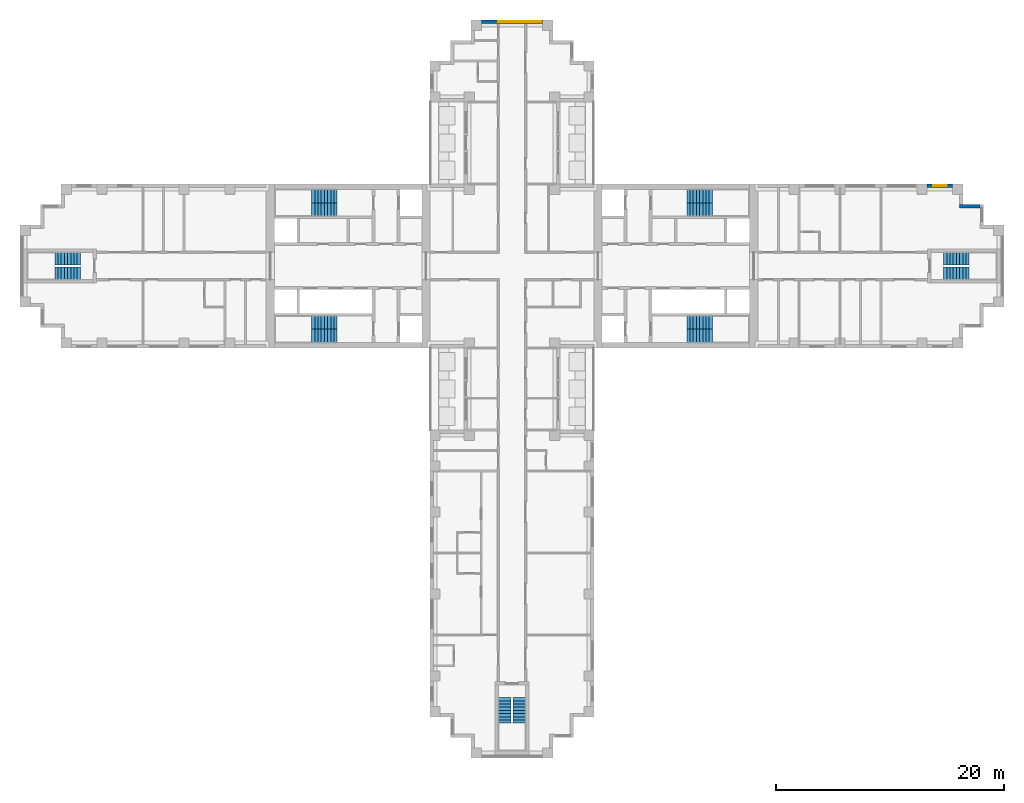
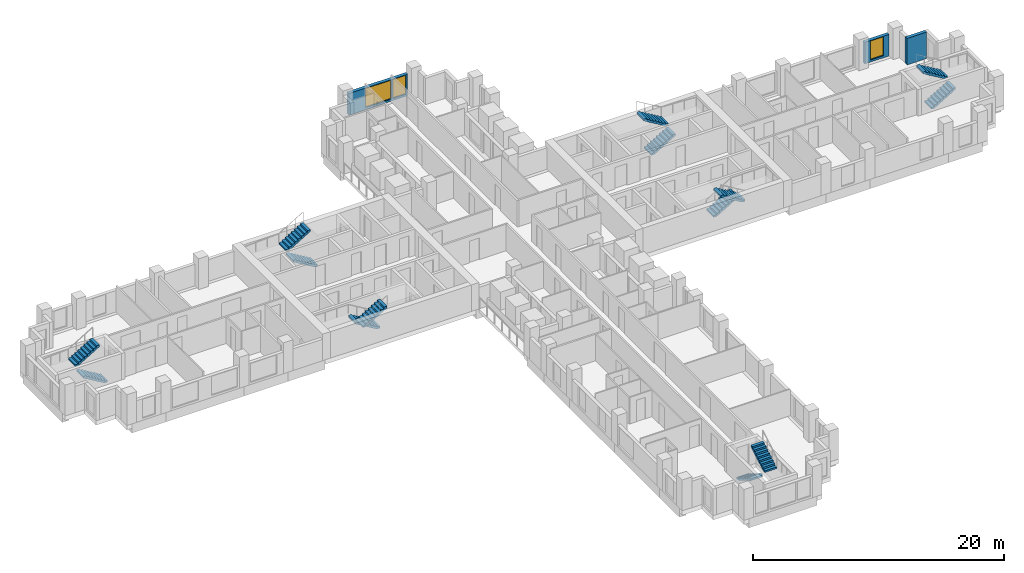
# One storey, part 11 of 13: 14 stair flights, 3 walls, 3 windows, 3 openings, 7 elements without a shape of their own.
"""IFC4 building model written with IfcOpenShell, lengths in metres."""

from ifc_helpers import new_model, si_unit, direction, frame, frame_2d, origin, place, context, subcontext, project, spatial, polyline, rectangle, outline, extrude, material, layer, layer_set, type_object, element, fill, aggregate, save


model = new_model("IFC4")

# Units and contexts
model_context = context("Model", 3, precision=1e-05, world=origin(), true_north=direction((0.0, 1.0)))
body_context = subcontext(model_context, "Body", "Model", "MODEL_VIEW")
ifc_project = project(units=[si_unit("LENGTHUNIT", "METRE"), si_unit("AREAUNIT", "SQUARE_METRE"), si_unit("VOLUMEUNIT", "CUBIC_METRE"), si_unit("PLANEANGLEUNIT", "RADIAN"), si_unit("MASSUNIT", "GRAM", prefix="KILO")], contexts=[model_context])

# Site, building, storey
site_placement = place(None, origin())
site = spatial("IfcSite", under=ifc_project, at=site_placement, CompositionType="ELEMENT")
building_placement = place(site_placement, origin())
building = spatial("IfcBuilding", under=site, at=building_placement, Name="Fustian Cross Tower", CompositionType="ELEMENT")
storey_placement = place(building_placement, frame((0.0, 0.0, 81.89990234375)))
storey = spatial("IfcBuildingStorey", under=building, at=storey_placement, Name="L25", CompositionType="ELEMENT", Elevation=81.89990234375)

# Wall
ifc_material_1 = material(Name="Dark aluminium cladding on insulated backing wall", Category="aluminium")
ifc_layer = layer(ifc_material_1, 0.300048828125)
ifc_layer_set = layer_set([ifc_layer], Name="Dark aluminium cladding on insulated backing wall")
wall_type = type_object("IfcWallType", Name="XW1 EXTERNAL WALL 300", PredefinedType="SOLIDWALL", material=ifc_layer_set)
wall_1_placement = place(storey_placement, frame((41.10009765625, 5.25, 0.0), z_axis=(0.0, 0.0, 1.0), x_axis=(-1.0, 0.0, 0.0)))
element("IfcWall", 1, at=wall_1_placement, inside=storey, type_object=wall_type, Name="External wall", PredefinedType="SOLIDWALL", context=body_context, shape_type="SweptSolid", body=[
    extrude(rectangle(XDim=1.800048828125, YDim=0.300048828125, at=frame_2d((0.89990234375, 0.0))), origin(), (0.0, 0.0, 1.0), 2.5751953125),
])

# Wall, opening, window
wall_2_placement = place(storey_placement, frame((38.699951171875, 7.050048828125, 0.0), z_axis=(0.0, 0.0, 1.0), x_axis=(-1.0, 0.0, 0.0)))
wall_2 = element("IfcWall", 2, at=wall_2_placement, inside=storey, type_object=wall_type, Name="External wall", PredefinedType="SOLIDWALL", context=body_context, shape_type="SweptSolid", body=[
    extrude(rectangle(XDim=2.25, YDim=0.300048828125, at=frame_2d((1.125, 0.0))), origin(), (0.0, 0.0, 1.0), 2.10009765625),
])
opening_1_placement = place(wall_2_placement, frame((0.52490234375, 0.0, 0.199951171875)))
opening_1 = element("IfcOpeningElement", 3, at=opening_1_placement, cuts=wall_2, Name="Opening WN3", PredefinedType="OPENING", context=body_context, shape_type="SweptSolid", body=[
    extrude(rectangle(XDim=1.199951171875, YDim=1.85009765625, at=frame_2d((0.60009765625, 0.925048828125))), frame((0.0, 0.159912109375, 0.0), z_axis=(0.0, -1.0, 0.0), x_axis=(1.0, 0.0, 0.0)), (0.0, 0.0, 1.0), 0.320068359375),
])
ifc_material_2 = material(Name="Dark anodised aluminium and double glazing", Category="aluminium")
window_type_1 = type_object("IfcWindowType", Name="WN3 WINDOW 1200X1850", PartitioningType="SINGLE_PANEL", PredefinedType="WINDOW", material=ifc_material_2)
window_1_placement = place(opening_1_placement, origin())
window_1 = element("IfcWindow", 4, at=window_1_placement, inside=storey, type_object=window_type_1, Name="Window", OverallHeight=1.85009765625, OverallWidth=1.199951171875, PartitioningType="SINGLE_PANEL", PredefinedType="WINDOW", context=body_context, shape_type="SweptSolid", body=[
    extrude(rectangle(XDim=1.199951171875, YDim=1.85009765625, at=frame_2d((0.60009765625, 0.925048828125))), frame((0.0, 0.030029296875, 0.0), z_axis=(0.0, -1.0, 0.0), x_axis=(1.0, 0.0, 0.0)), (0.0, 0.0, 1.0), 0.06005859375),
])
fill(opening_1, window_1)

# Wall, openings, windows
wall_3_placement = place(storey_placement, frame((2.699951171875, 21.449951171875, 0.0), z_axis=(0.0, 0.0, 1.0), x_axis=(-1.0, 0.0, 0.0)))
wall_3 = element("IfcWall", 5, at=wall_3_placement, inside=storey, type_object=wall_type, Name="External wall", PredefinedType="SOLIDWALL", context=body_context, shape_type="SweptSolid", body=[
    extrude(rectangle(XDim=5.39990234375, YDim=0.300048828125, at=frame_2d((2.699951171875, 0.0))), origin(), (0.0, 0.0, 1.0), 2.10009765625),
])
opening_2_placement = place(wall_3_placement, frame((1.5, 0.0, 0.199951171875)))
opening_2 = element("IfcOpeningElement", 6, at=opening_2_placement, cuts=wall_3, Name="Opening WN1", PredefinedType="OPENING", context=body_context, shape_type="SweptSolid", body=[
    extrude(rectangle(XDim=2.39990234375, YDim=1.85009765625, at=frame_2d((1.199951171875, 0.925048828125))), frame((0.0, 0.159912109375, 0.0), z_axis=(0.0, -1.0, 0.0), x_axis=(1.0, 0.0, 0.0)), (0.0, 0.0, 1.0), 0.320068359375),
])
opening_3_placement = place(wall_3_placement, frame((0.14990234375, 0.0, 0.199951171875)))
opening_3 = element("IfcOpeningElement", 7, at=opening_3_placement, cuts=wall_3, Name="Opening WN3", PredefinedType="OPENING", context=body_context, shape_type="SweptSolid", body=[
    extrude(rectangle(XDim=1.199951171875, YDim=1.85009765625, at=frame_2d((0.60009765625, 0.925048828125))), frame((0.0, 0.159912109375, 0.0), z_axis=(0.0, -1.0, 0.0), x_axis=(1.0, 0.0, 0.0)), (0.0, 0.0, 1.0), 0.320068359375),
])
ifc_material_3 = material(Name="Dark anodised aluminium and double glazing", Category="aluminium")
window_type_2 = type_object("IfcWindowType", Name="WN1 WINDOW 2400X1850", PartitioningType="SINGLE_PANEL", PredefinedType="WINDOW", material=ifc_material_3)
window_2_placement = place(opening_2_placement, origin())
window_2 = element("IfcWindow", 8, at=window_2_placement, inside=storey, type_object=window_type_2, Name="Window", OverallHeight=1.85009765625, OverallWidth=2.39990234375, PartitioningType="SINGLE_PANEL", PredefinedType="WINDOW", context=body_context, shape_type="SweptSolid", body=[
    extrude(rectangle(XDim=2.39990234375, YDim=1.85009765625, at=frame_2d((1.199951171875, 0.925048828125))), frame((0.0, 0.030029296875, 0.0), z_axis=(0.0, -1.0, 0.0), x_axis=(1.0, 0.0, 0.0)), (0.0, 0.0, 1.0), 0.06005859375),
])
fill(opening_2, window_2)
window_3_placement = place(opening_3_placement, origin())
window_3 = element("IfcWindow", 9, at=window_3_placement, inside=storey, type_object=window_type_1, Name="Window", OverallHeight=1.85009765625, OverallWidth=1.199951171875, PartitioningType="SINGLE_PANEL", PredefinedType="WINDOW", context=body_context, shape_type="SweptSolid", body=[
    extrude(rectangle(XDim=1.199951171875, YDim=1.85009765625, at=frame_2d((0.60009765625, 0.925048828125))), frame((0.0, 0.030029296875, 0.0), z_axis=(0.0, -1.0, 0.0), x_axis=(1.0, 0.0, 0.0)), (0.0, 0.0, 1.0), 0.06005859375),
])
fill(opening_3, window_3)

# Stair, stair flights
ifc_material_4 = material(Name="Concrete C50/60", Category="concrete")
stair_type_1 = type_object("IfcStairType", Name="STAIR 1100 HALF TURN", PredefinedType="HALF_TURN_STAIR", material=ifc_material_4)
stair_1_placement = place(storey_placement, origin())
stair_1 = element("IfcStair", 10, at=stair_1_placement, inside=storey, type_object=stair_type_1, Name="Stair ST6", PredefinedType="HALF_TURN_STAIR")
ifc_material_5 = material(Name="Concrete C50/60", Category="concrete")
stair_flight_type_1 = type_object("IfcStairFlightType", Name="STAIR FLIGHT 1100", PredefinedType="STRAIGHT", material=ifc_material_5)
stair_flight_1_placement = place(storey_placement, frame((-0.64990234375, -37.89990234375, 0.0), z_axis=(0.0, 0.0, 1.0), x_axis=(0.0, -1.0, 0.0)))
stair_flight_1 = element("IfcStairFlight", 11, at=stair_flight_1_placement, type_object=stair_flight_type_1, Name="ST6 flight 1", NumberOfRisers=9, NumberOfTreads=8, PredefinedType="STRAIGHT", RiserHeight=0.166666667, TreadLength=0.28, context=body_context, shape_type="SweptSolid", body=[
    extrude(outline(polyline([(0.0, 0.0), (0.0, 0.166748046875), (0.280029296875, 0.166748046875), (0.280029296875, 0.333251953125), (0.56005859375, 0.333251953125), (0.56005859375, 0.5), (0.840087890625, 0.5), (0.840087890625, 0.666748046875), (1.1201171875, 0.666748046875), (1.1201171875, 0.833251953125), (1.39990234375, 0.833251953125), (1.39990234375, 1.0), (1.679931640625, 1.0), (1.679931640625, 1.166748046875), (1.9599609375, 1.166748046875), (1.9599609375, 1.333251953125), (2.239990234375, 1.333251953125), (2.239990234375, 1.5), (2.239990234375, 1.158935546875), (0.29296875, 0.0), (0.0, 0.0)])), frame((0.0, 0.550048828125, 0.0), z_axis=(0.0, -1.0, 0.0), x_axis=(1.0, 0.0, 0.0)), (0.0, 0.0, 1.0), 1.10009765625),
])
stair_flight_2_placement = place(storey_placement, frame((0.64990234375, -40.139892578125, 1.5), z_axis=(0.0, 0.0, 1.0), x_axis=(0.0, 1.0, 0.0)))
stair_flight_2 = element("IfcStairFlight", 12, at=stair_flight_2_placement, type_object=stair_flight_type_1, Name="ST6 flight 2", NumberOfRisers=9, NumberOfTreads=8, PredefinedType="STRAIGHT", RiserHeight=0.166666667, TreadLength=0.28, context=body_context, shape_type="SweptSolid", body=[
    extrude(outline(polyline([(0.0, 0.0), (0.0, 0.166748046875), (0.280029296875, 0.166748046875), (0.280029296875, 0.333251953125), (0.56005859375, 0.333251953125), (0.56005859375, 0.5), (0.840087890625, 0.5), (0.840087890625, 0.666748046875), (1.1201171875, 0.666748046875), (1.1201171875, 0.833251953125), (1.39990234375, 0.833251953125), (1.39990234375, 1.0), (1.679931640625, 1.0), (1.679931640625, 1.166748046875), (1.9599609375, 1.166748046875), (1.9599609375, 1.333251953125), (2.239990234375, 1.333251953125), (2.239990234375, 1.5), (2.239990234375, 1.158935546875), (0.29296875, 0.0), (0.0, 0.0)])), frame((0.0, 0.550048828125, 0.0), z_axis=(0.0, -1.0, 0.0), x_axis=(1.0, 0.0, 0.0)), (0.0, 0.0, 1.0), 1.10009765625),
])
aggregate(stair_1, [stair_flight_1, stair_flight_2])

stair_2_placement = place(storey_placement, origin())
stair_2 = element("IfcStair", 13, at=stair_2_placement, inside=storey, type_object=stair_type_1, Name="Stair ST8", PredefinedType="HALF_TURN_STAIR")
stair_flight_3_placement = place(storey_placement, frame((37.89990234375, -0.64990234375, 0.0), z_axis=(0.0, 0.0, 1.0), x_axis=(1.0, 0.0, 0.0)))
stair_flight_3 = element("IfcStairFlight", 14, at=stair_flight_3_placement, type_object=stair_flight_type_1, Name="ST8 flight 1", NumberOfRisers=9, NumberOfTreads=8, PredefinedType="STRAIGHT", RiserHeight=0.166666667, TreadLength=0.28, context=body_context, shape_type="SweptSolid", body=[
    extrude(outline(polyline([(0.0, 0.0), (0.0, 0.166748046875), (0.280029296875, 0.166748046875), (0.280029296875, 0.333251953125), (0.56005859375, 0.333251953125), (0.56005859375, 0.5), (0.840087890625, 0.5), (0.840087890625, 0.666748046875), (1.1201171875, 0.666748046875), (1.1201171875, 0.833251953125), (1.39990234375, 0.833251953125), (1.39990234375, 1.0), (1.679931640625, 1.0), (1.679931640625, 1.166748046875), (1.9599609375, 1.166748046875), (1.9599609375, 1.333251953125), (2.239990234375, 1.333251953125), (2.239990234375, 1.5), (2.239990234375, 1.158935546875), (0.29296875, 0.0), (0.0, 0.0)])), frame((0.0, 0.550048828125, 0.0), z_axis=(0.0, -1.0, 0.0), x_axis=(1.0, 0.0, 0.0)), (0.0, 0.0, 1.0), 1.10009765625),
])
stair_flight_4_placement = place(storey_placement, frame((40.139892578125, 0.64990234375, 1.5), z_axis=(0.0, 0.0, 1.0), x_axis=(-1.0, 0.0, 0.0)))
stair_flight_4 = element("IfcStairFlight", 15, at=stair_flight_4_placement, type_object=stair_flight_type_1, Name="ST8 flight 2", NumberOfRisers=9, NumberOfTreads=8, PredefinedType="STRAIGHT", RiserHeight=0.166666667, TreadLength=0.28, context=body_context, shape_type="SweptSolid", body=[
    extrude(outline(polyline([(0.0, 0.0), (0.0, 0.166748046875), (0.280029296875, 0.166748046875), (0.280029296875, 0.333251953125), (0.56005859375, 0.333251953125), (0.56005859375, 0.5), (0.840087890625, 0.5), (0.840087890625, 0.666748046875), (1.1201171875, 0.666748046875), (1.1201171875, 0.833251953125), (1.39990234375, 0.833251953125), (1.39990234375, 1.0), (1.679931640625, 1.0), (1.679931640625, 1.166748046875), (1.9599609375, 1.166748046875), (1.9599609375, 1.333251953125), (2.239990234375, 1.333251953125), (2.239990234375, 1.5), (2.239990234375, 1.158935546875), (0.29296875, 0.0), (0.0, 0.0)])), frame((0.0, 0.550048828125, 0.0), z_axis=(0.0, -1.0, 0.0), x_axis=(1.0, 0.0, 0.0)), (0.0, 0.0, 1.0), 1.10009765625),
])
aggregate(stair_2, [stair_flight_3, stair_flight_4])

stair_3_placement = place(storey_placement, origin())
stair_3 = element("IfcStair", 16, at=stair_3_placement, inside=storey, type_object=stair_type_1, Name="Stair ST9", PredefinedType="HALF_TURN_STAIR")
stair_flight_5_placement = place(storey_placement, frame((-37.89990234375, -0.64990234375, 0.0), z_axis=(0.0, 0.0, 1.0), x_axis=(-1.0, 0.0, 0.0)))
stair_flight_5 = element("IfcStairFlight", 17, at=stair_flight_5_placement, type_object=stair_flight_type_1, Name="ST9 flight 1", NumberOfRisers=9, NumberOfTreads=8, PredefinedType="STRAIGHT", RiserHeight=0.166666667, TreadLength=0.28, context=body_context, shape_type="SweptSolid", body=[
    extrude(outline(polyline([(0.0, 0.0), (0.0, 0.166748046875), (0.280029296875, 0.166748046875), (0.280029296875, 0.333251953125), (0.56005859375, 0.333251953125), (0.56005859375, 0.5), (0.840087890625, 0.5), (0.840087890625, 0.666748046875), (1.1201171875, 0.666748046875), (1.1201171875, 0.833251953125), (1.39990234375, 0.833251953125), (1.39990234375, 1.0), (1.679931640625, 1.0), (1.679931640625, 1.166748046875), (1.9599609375, 1.166748046875), (1.9599609375, 1.333251953125), (2.239990234375, 1.333251953125), (2.239990234375, 1.5), (2.239990234375, 1.158935546875), (0.29296875, 0.0), (0.0, 0.0)])), frame((0.0, 0.550048828125, 0.0), z_axis=(0.0, -1.0, 0.0), x_axis=(1.0, 0.0, 0.0)), (0.0, 0.0, 1.0), 1.10009765625),
])
stair_flight_6_placement = place(storey_placement, frame((-40.139892578125, 0.64990234375, 1.5), z_axis=(0.0, 0.0, 1.0), x_axis=(1.0, 0.0, 0.0)))
stair_flight_6 = element("IfcStairFlight", 18, at=stair_flight_6_placement, type_object=stair_flight_type_1, Name="ST9 flight 2", NumberOfRisers=9, NumberOfTreads=8, PredefinedType="STRAIGHT", RiserHeight=0.166666667, TreadLength=0.28, context=body_context, shape_type="SweptSolid", body=[
    extrude(outline(polyline([(0.0, 0.0), (0.0, 0.166748046875), (0.280029296875, 0.166748046875), (0.280029296875, 0.333251953125), (0.56005859375, 0.333251953125), (0.56005859375, 0.5), (0.840087890625, 0.5), (0.840087890625, 0.666748046875), (1.1201171875, 0.666748046875), (1.1201171875, 0.833251953125), (1.39990234375, 0.833251953125), (1.39990234375, 1.0), (1.679931640625, 1.0), (1.679931640625, 1.166748046875), (1.9599609375, 1.166748046875), (1.9599609375, 1.333251953125), (2.239990234375, 1.333251953125), (2.239990234375, 1.5), (2.239990234375, 1.158935546875), (0.29296875, 0.0), (0.0, 0.0)])), frame((0.0, 0.550048828125, 0.0), z_axis=(0.0, -1.0, 0.0), x_axis=(1.0, 0.0, 0.0)), (0.0, 0.0, 1.0), 1.10009765625),
])
aggregate(stair_3, [stair_flight_5, stair_flight_6])

ifc_material_6 = material(Name="Concrete C50/60", Category="concrete")
stair_type_2 = type_object("IfcStairType", Name="STAIR 1150 HALF TURN", PredefinedType="HALF_TURN_STAIR", material=ifc_material_6)
stair_4_placement = place(storey_placement, origin())
stair_4 = element("IfcStair", 19, at=stair_4_placement, inside=storey, type_object=stair_type_2, Name="Stair ST1", PredefinedType="HALF_TURN_STAIR")
ifc_material_7 = material(Name="Concrete C50/60", Category="concrete")
stair_flight_type_2 = type_object("IfcStairFlightType", Name="STAIR FLIGHT 1150", PredefinedType="STRAIGHT", material=ifc_material_7)
stair_flight_7_placement = place(storey_placement, frame((15.35009765625, 4.97509765625, 0.0), z_axis=(0.0, 0.0, 1.0), x_axis=(1.0, 0.0, 0.0)))
stair_flight_7 = element("IfcStairFlight", 20, at=stair_flight_7_placement, type_object=stair_flight_type_2, Name="ST1 flight 1", NumberOfRisers=9, NumberOfTreads=8, PredefinedType="STRAIGHT", RiserHeight=0.166666667, TreadLength=0.28, context=body_context, shape_type="SweptSolid", body=[
    extrude(outline(polyline([(0.0, 0.0), (0.0, 0.166748046875), (0.280029296875, 0.166748046875), (0.280029296875, 0.333251953125), (0.56005859375, 0.333251953125), (0.56005859375, 0.5), (0.840087890625, 0.5), (0.840087890625, 0.666748046875), (1.1201171875, 0.666748046875), (1.1201171875, 0.833251953125), (1.39990234375, 0.833251953125), (1.39990234375, 1.0), (1.679931640625, 1.0), (1.679931640625, 1.166748046875), (1.9599609375, 1.166748046875), (1.9599609375, 1.333251953125), (2.239990234375, 1.333251953125), (2.239990234375, 1.5), (2.239990234375, 1.158935546875), (0.29296875, 0.0), (0.0, 0.0)])), frame((0.0, 0.574951171875, 0.0), z_axis=(0.0, -1.0, 0.0), x_axis=(1.0, 0.0, 0.0)), (0.0, 0.0, 1.0), 1.14990234375),
])
stair_flight_8_placement = place(storey_placement, frame((17.590087890625, 6.125, 1.5), z_axis=(0.0, 0.0, 1.0), x_axis=(-1.0, 0.0, 0.0)))
stair_flight_8 = element("IfcStairFlight", 21, at=stair_flight_8_placement, type_object=stair_flight_type_2, Name="ST1 flight 2", NumberOfRisers=9, NumberOfTreads=8, PredefinedType="STRAIGHT", RiserHeight=0.166666667, TreadLength=0.28, context=body_context, shape_type="SweptSolid", body=[
    extrude(outline(polyline([(0.0, 0.0), (0.0, 0.166748046875), (0.280029296875, 0.166748046875), (0.280029296875, 0.333251953125), (0.56005859375, 0.333251953125), (0.56005859375, 0.5), (0.840087890625, 0.5), (0.840087890625, 0.666748046875), (1.1201171875, 0.666748046875), (1.1201171875, 0.833251953125), (1.39990234375, 0.833251953125), (1.39990234375, 1.0), (1.679931640625, 1.0), (1.679931640625, 1.166748046875), (1.9599609375, 1.166748046875), (1.9599609375, 1.333251953125), (2.239990234375, 1.333251953125), (2.239990234375, 1.5), (2.239990234375, 1.158935546875), (0.29296875, 0.0), (0.0, 0.0)])), frame((0.0, 0.574951171875, 0.0), z_axis=(0.0, -1.0, 0.0), x_axis=(1.0, 0.0, 0.0)), (0.0, 0.0, 1.0), 1.14990234375),
])
aggregate(stair_4, [stair_flight_7, stair_flight_8])

stair_5_placement = place(storey_placement, origin())
stair_5 = element("IfcStair", 22, at=stair_5_placement, inside=storey, type_object=stair_type_2, Name="Stair ST2", PredefinedType="HALF_TURN_STAIR")
stair_flight_9_placement = place(storey_placement, frame((15.35009765625, -4.97509765625, 0.0), z_axis=(0.0, 0.0, 1.0), x_axis=(1.0, 0.0, 0.0)))
stair_flight_9 = element("IfcStairFlight", 23, at=stair_flight_9_placement, type_object=stair_flight_type_2, Name="ST2 flight 1", NumberOfRisers=9, NumberOfTreads=8, PredefinedType="STRAIGHT", RiserHeight=0.166666667, TreadLength=0.28, context=body_context, shape_type="SweptSolid", body=[
    extrude(outline(polyline([(0.0, 0.0), (0.0, 0.166748046875), (0.280029296875, 0.166748046875), (0.280029296875, 0.333251953125), (0.56005859375, 0.333251953125), (0.56005859375, 0.5), (0.840087890625, 0.5), (0.840087890625, 0.666748046875), (1.1201171875, 0.666748046875), (1.1201171875, 0.833251953125), (1.39990234375, 0.833251953125), (1.39990234375, 1.0), (1.679931640625, 1.0), (1.679931640625, 1.166748046875), (1.9599609375, 1.166748046875), (1.9599609375, 1.333251953125), (2.239990234375, 1.333251953125), (2.239990234375, 1.5), (2.239990234375, 1.158935546875), (0.29296875, 0.0), (0.0, 0.0)])), frame((0.0, 0.574951171875, 0.0), z_axis=(0.0, -1.0, 0.0), x_axis=(1.0, 0.0, 0.0)), (0.0, 0.0, 1.0), 1.14990234375),
])
stair_flight_10_placement = place(storey_placement, frame((17.590087890625, -6.125, 1.5), z_axis=(0.0, 0.0, 1.0), x_axis=(-1.0, 0.0, 0.0)))
stair_flight_10 = element("IfcStairFlight", 24, at=stair_flight_10_placement, type_object=stair_flight_type_2, Name="ST2 flight 2", NumberOfRisers=9, NumberOfTreads=8, PredefinedType="STRAIGHT", RiserHeight=0.166666667, TreadLength=0.28, context=body_context, shape_type="SweptSolid", body=[
    extrude(outline(polyline([(0.0, 0.0), (0.0, 0.166748046875), (0.280029296875, 0.166748046875), (0.280029296875, 0.333251953125), (0.56005859375, 0.333251953125), (0.56005859375, 0.5), (0.840087890625, 0.5), (0.840087890625, 0.666748046875), (1.1201171875, 0.666748046875), (1.1201171875, 0.833251953125), (1.39990234375, 0.833251953125), (1.39990234375, 1.0), (1.679931640625, 1.0), (1.679931640625, 1.166748046875), (1.9599609375, 1.166748046875), (1.9599609375, 1.333251953125), (2.239990234375, 1.333251953125), (2.239990234375, 1.5), (2.239990234375, 1.158935546875), (0.29296875, 0.0), (0.0, 0.0)])), frame((0.0, 0.574951171875, 0.0), z_axis=(0.0, -1.0, 0.0), x_axis=(1.0, 0.0, 0.0)), (0.0, 0.0, 1.0), 1.14990234375),
])
aggregate(stair_5, [stair_flight_9, stair_flight_10])

stair_6_placement = place(storey_placement, origin())
stair_6 = element("IfcStair", 25, at=stair_6_placement, inside=storey, type_object=stair_type_2, Name="Stair ST3", PredefinedType="HALF_TURN_STAIR")
stair_flight_11_placement = place(storey_placement, frame((-15.35009765625, 4.97509765625, 0.0), z_axis=(0.0, 0.0, 1.0), x_axis=(-1.0, 0.0, 0.0)))
stair_flight_11 = element("IfcStairFlight", 26, at=stair_flight_11_placement, type_object=stair_flight_type_2, Name="ST3 flight 1", NumberOfRisers=9, NumberOfTreads=8, PredefinedType="STRAIGHT", RiserHeight=0.166666667, TreadLength=0.28, context=body_context, shape_type="SweptSolid", body=[
    extrude(outline(polyline([(0.0, 0.0), (0.0, 0.166748046875), (0.280029296875, 0.166748046875), (0.280029296875, 0.333251953125), (0.56005859375, 0.333251953125), (0.56005859375, 0.5), (0.840087890625, 0.5), (0.840087890625, 0.666748046875), (1.1201171875, 0.666748046875), (1.1201171875, 0.833251953125), (1.39990234375, 0.833251953125), (1.39990234375, 1.0), (1.679931640625, 1.0), (1.679931640625, 1.166748046875), (1.9599609375, 1.166748046875), (1.9599609375, 1.333251953125), (2.239990234375, 1.333251953125), (2.239990234375, 1.5), (2.239990234375, 1.158935546875), (0.29296875, 0.0), (0.0, 0.0)])), frame((0.0, 0.574951171875, 0.0), z_axis=(0.0, -1.0, 0.0), x_axis=(1.0, 0.0, 0.0)), (0.0, 0.0, 1.0), 1.14990234375),
])
stair_flight_12_placement = place(storey_placement, frame((-17.590087890625, 6.125, 1.5), z_axis=(0.0, 0.0, 1.0), x_axis=(1.0, 0.0, 0.0)))
stair_flight_12 = element("IfcStairFlight", 27, at=stair_flight_12_placement, type_object=stair_flight_type_2, Name="ST3 flight 2", NumberOfRisers=9, NumberOfTreads=8, PredefinedType="STRAIGHT", RiserHeight=0.166666667, TreadLength=0.28, context=body_context, shape_type="SweptSolid", body=[
    extrude(outline(polyline([(0.0, 0.0), (0.0, 0.166748046875), (0.280029296875, 0.166748046875), (0.280029296875, 0.333251953125), (0.56005859375, 0.333251953125), (0.56005859375, 0.5), (0.840087890625, 0.5), (0.840087890625, 0.666748046875), (1.1201171875, 0.666748046875), (1.1201171875, 0.833251953125), (1.39990234375, 0.833251953125), (1.39990234375, 1.0), (1.679931640625, 1.0), (1.679931640625, 1.166748046875), (1.9599609375, 1.166748046875), (1.9599609375, 1.333251953125), (2.239990234375, 1.333251953125), (2.239990234375, 1.5), (2.239990234375, 1.158935546875), (0.29296875, 0.0), (0.0, 0.0)])), frame((0.0, 0.574951171875, 0.0), z_axis=(0.0, -1.0, 0.0), x_axis=(1.0, 0.0, 0.0)), (0.0, 0.0, 1.0), 1.14990234375),
])
aggregate(stair_6, [stair_flight_11, stair_flight_12])

stair_7_placement = place(storey_placement, origin())
stair_7 = element("IfcStair", 28, at=stair_7_placement, inside=storey, type_object=stair_type_2, Name="Stair ST4", PredefinedType="HALF_TURN_STAIR")
stair_flight_13_placement = place(storey_placement, frame((-15.35009765625, -4.97509765625, 0.0), z_axis=(0.0, 0.0, 1.0), x_axis=(-1.0, 0.0, 0.0)))
stair_flight_13 = element("IfcStairFlight", 29, at=stair_flight_13_placement, type_object=stair_flight_type_2, Name="ST4 flight 1", NumberOfRisers=9, NumberOfTreads=8, PredefinedType="STRAIGHT", RiserHeight=0.166666667, TreadLength=0.28, context=body_context, shape_type="SweptSolid", body=[
    extrude(outline(polyline([(0.0, 0.0), (0.0, 0.166748046875), (0.280029296875, 0.166748046875), (0.280029296875, 0.333251953125), (0.56005859375, 0.333251953125), (0.56005859375, 0.5), (0.840087890625, 0.5), (0.840087890625, 0.666748046875), (1.1201171875, 0.666748046875), (1.1201171875, 0.833251953125), (1.39990234375, 0.833251953125), (1.39990234375, 1.0), (1.679931640625, 1.0), (1.679931640625, 1.166748046875), (1.9599609375, 1.166748046875), (1.9599609375, 1.333251953125), (2.239990234375, 1.333251953125), (2.239990234375, 1.5), (2.239990234375, 1.158935546875), (0.29296875, 0.0), (0.0, 0.0)])), frame((0.0, 0.574951171875, 0.0), z_axis=(0.0, -1.0, 0.0), x_axis=(1.0, 0.0, 0.0)), (0.0, 0.0, 1.0), 1.14990234375),
])
stair_flight_14_placement = place(storey_placement, frame((-17.590087890625, -6.125, 1.5), z_axis=(0.0, 0.0, 1.0), x_axis=(1.0, 0.0, 0.0)))
stair_flight_14 = element("IfcStairFlight", 30, at=stair_flight_14_placement, type_object=stair_flight_type_2, Name="ST4 flight 2", NumberOfRisers=9, NumberOfTreads=8, PredefinedType="STRAIGHT", RiserHeight=0.166666667, TreadLength=0.28, context=body_context, shape_type="SweptSolid", body=[
    extrude(outline(polyline([(0.0, 0.0), (0.0, 0.166748046875), (0.280029296875, 0.166748046875), (0.280029296875, 0.333251953125), (0.56005859375, 0.333251953125), (0.56005859375, 0.5), (0.840087890625, 0.5), (0.840087890625, 0.666748046875), (1.1201171875, 0.666748046875), (1.1201171875, 0.833251953125), (1.39990234375, 0.833251953125), (1.39990234375, 1.0), (1.679931640625, 1.0), (1.679931640625, 1.166748046875), (1.9599609375, 1.166748046875), (1.9599609375, 1.333251953125), (2.239990234375, 1.333251953125), (2.239990234375, 1.5), (2.239990234375, 1.158935546875), (0.29296875, 0.0), (0.0, 0.0)])), frame((0.0, 0.574951171875, 0.0), z_axis=(0.0, -1.0, 0.0), x_axis=(1.0, 0.0, 0.0)), (0.0, 0.0, 1.0), 1.14990234375),
])
aggregate(stair_7, [stair_flight_13, stair_flight_14])

save(model, "model.ifc")
